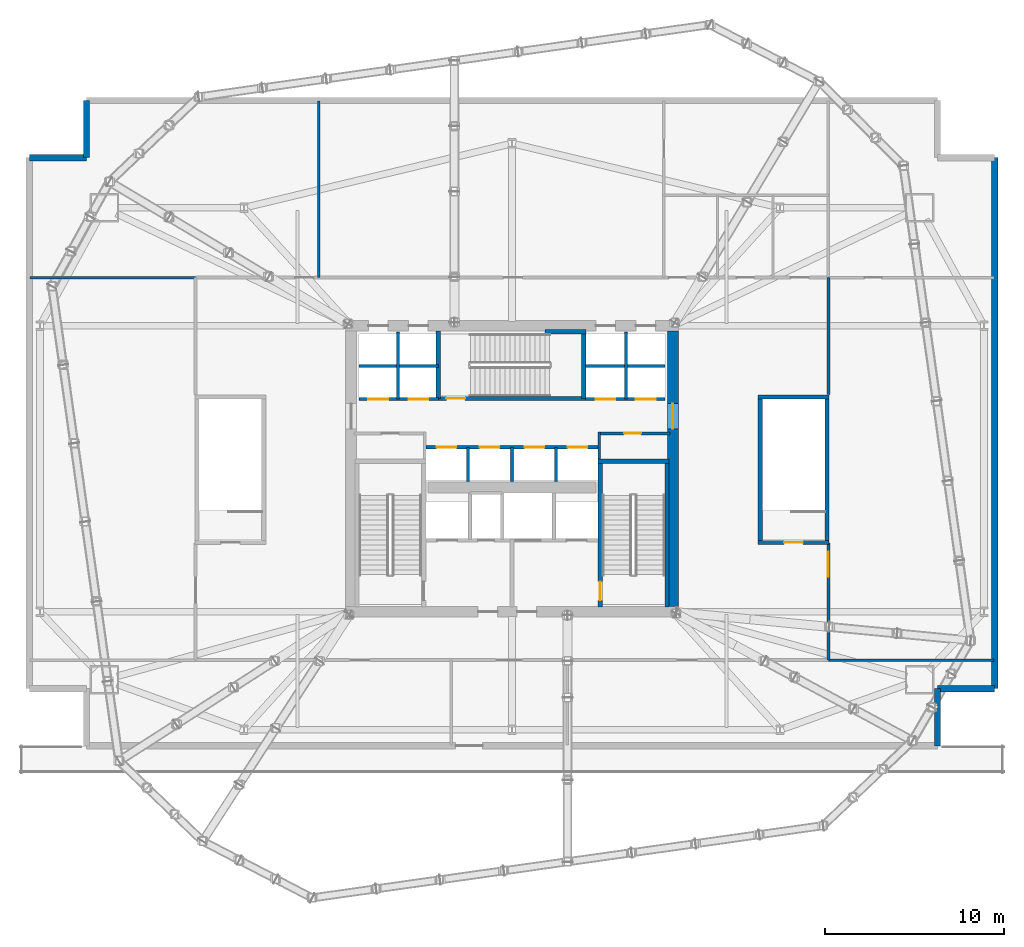
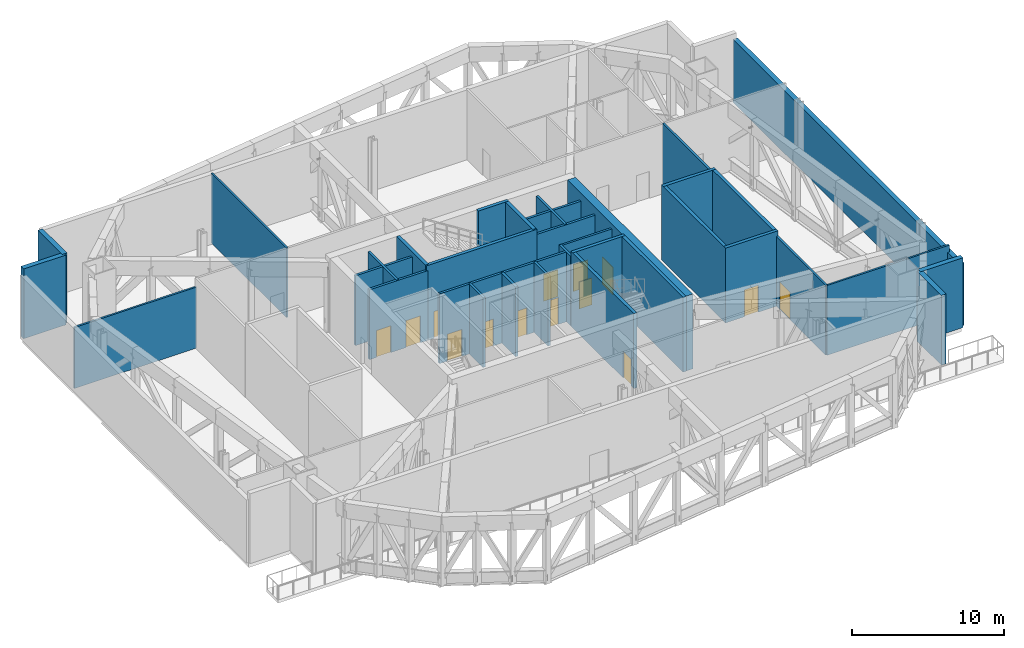
# One storey, part 11 of 15: 34 walls, 14 doors, 14 openings.
"""IFC4 building model written with IfcOpenShell, lengths in metres."""

from ifc_helpers import new_model, si_unit, direction, frame, frame_2d, origin, place, context, subcontext, project, spatial, rectangle, extrude, material, layer, layer_set, type_object, element, fill, save


model = new_model("IFC4")

# Units and contexts
model_context = context("Model", 3, precision=1e-05, world=origin(), true_north=direction((0.0, 1.0)))
body_context = subcontext(model_context, "Body", "Model", "MODEL_VIEW")
ifc_project = project(units=[si_unit("LENGTHUNIT", "METRE"), si_unit("AREAUNIT", "SQUARE_METRE"), si_unit("VOLUMEUNIT", "CUBIC_METRE"), si_unit("PLANEANGLEUNIT", "RADIAN"), si_unit("MASSUNIT", "GRAM", prefix="KILO")], contexts=[model_context])

# Site, building, storey
site_placement = place(None, origin())
site = spatial("IfcSite", under=ifc_project, at=site_placement, CompositionType="ELEMENT")
building_placement = place(site_placement, origin())
building = spatial("IfcBuilding", under=site, at=building_placement, Name="Haldenkirk Collegiate Tower", CompositionType="ELEMENT")
storey_placement = place(building_placement, frame((0.0, 0.0, 22.199951171875)))
storey = spatial("IfcBuildingStorey", under=building, at=storey_placement, Name="L04", CompositionType="ELEMENT", Elevation=22.199951171875)

# Wall, opening, door
ifc_material_1 = material(Name="Concrete f'c 70 MPa", Category="concrete")
ifc_layer_1 = layer(ifc_material_1, 0.60009765625)
ifc_layer_set_1 = layer_set([ifc_layer_1], Name="Concrete f'c 70 MPa")
wall_type_1 = type_object("IfcWallType", Name="WL-CORE-600", PredefinedType="SHEAR", material=ifc_layer_set_1)
wall_1_placement = place(storey_placement, frame((45.0, 18.300048828125, 0.0), z_axis=(0.0, 0.0, 1.0), x_axis=(0.0, 1.0, 0.0)))
wall_1 = element("IfcWall", 1, at=wall_1_placement, inside=storey, type_object=wall_type_1, Name="L04 central core shear wall E", PredefinedType="SHEAR", context=body_context, shape_type="SweptSolid", body=[
    extrude(rectangle(XDim=15.39990234375, YDim=0.60009765625, at=frame_2d((7.699951171875, 0.0))), origin(), (0.0, 0.0, 1.0), 6.0),
])
opening_1_placement = place(wall_1_placement, frame((9.93994140625, 0.0, 0.0)))
opening_1 = element("IfcOpeningElement", 2, at=opening_1_placement, cuts=wall_1, Name="Opening D-03", PredefinedType="OPENING", context=body_context, shape_type="SweptSolid", body=[
    extrude(rectangle(XDim=1.39990234375, YDim=2.199951171875, at=frame_2d((0.699951171875, 1.10009765625))), frame((0.0, 0.31005859375, 0.0), z_axis=(0.0, -1.0, 0.0), x_axis=(1.0, 0.0, 0.0)), (0.0, 0.0, 1.0), 0.6201171875),
])
ifc_material_2 = material(Name="Galvanized fire-rated hollow steel door", Category="steel")
ifc_layer_2 = layer(ifc_material_2, 0.06005859375)
ifc_layer_set_2 = layer_set([ifc_layer_2], Name="Galvanized fire-rated hollow steel door")
door_type_1 = type_object("IfcDoorType", Name="DR-LOBBY-FD90-1400", OperationType="NOTDEFINED", PredefinedType="DOOR", material=ifc_layer_set_2)
door_1_placement = place(opening_1_placement, origin())
door_1 = element("IfcDoor", 3, at=door_1_placement, inside=storey, type_object=door_type_1, Name="L04 east lift lobby portal", OperationType="DOUBLE_DOOR_SINGLE_SWING", OverallHeight=2.199951171875, OverallWidth=1.39990234375, PredefinedType="DOOR", context=body_context, shape_type="SweptSolid", body=[
    extrude(rectangle(XDim=1.39990234375, YDim=2.199951171875, at=frame_2d((0.699951171875, 1.10009765625))), frame((0.0, 0.02490234375, 0.0), z_axis=(0.0, -1.0, 0.0), x_axis=(1.0, 0.0, 0.0)), (0.0, 0.0, 1.0), 0.050048828125),
])
fill(opening_1, door_1)

# Walls
ifc_material_3 = material(Name="Precast concrete f'c 40 MPa", Category="concrete")
ifc_layer_3 = layer(ifc_material_3, 0.360107421875)
ifc_layer_set_3 = layer_set([ifc_layer_3], Name="Precast concrete f'c 40 MPa")
wall_type_2 = type_object("IfcWallType", Name="WL-EXT-POD-360", PredefinedType="STANDARD", material=ifc_layer_set_3)
for number, where, z_axis, x_axis, name in (
    (4, (59.800048828125, 13.699951171875, 0.0), (0.0, 0.0, 1.0), (0.0, -1.0, 0.0), "L04 podium bronze precast wall 02"),
    (5, (63.0, 13.699951171875, 0.0), (0.0, 0.0, 1.0), (-1.0, 0.0, 0.0), "L04 podium bronze precast wall 03"),
):
    element("IfcWall", number, at=place(storey_placement, frame(where, z_axis=z_axis, x_axis=x_axis)), inside=storey, type_object=wall_type_2, Name=name, PredefinedType="STANDARD", context=body_context, shape_type="SweptSolid", body=[
        extrude(rectangle(XDim=3.199951171875, YDim=0.360107421875, at=frame_2d((1.60009765625, 0.0))), origin(), (0.0, 0.0, 1.0), 5.590087890625),
    ])
wall_2_placement = place(storey_placement, frame((63.0, 43.39990234375, 0.0), z_axis=(0.0, 0.0, 1.0), x_axis=(0.0, -1.0, 0.0)))
element("IfcWall", 6, at=wall_2_placement, inside=storey, type_object=wall_type_2, Name="L04 podium bronze precast wall 04", PredefinedType="STANDARD", context=body_context, shape_type="SweptSolid", body=[
    extrude(rectangle(XDim=29.699951171875, YDim=0.360107421875, at=frame_2d((14.85009765625, 0.0))), origin(), (0.0, 0.0, 1.0), 5.041015625),
])
wall_3_placement = place(storey_placement, frame((12.199951171875, 43.39990234375, 0.0), z_axis=(0.0, 0.0, 1.0), x_axis=(0.0, 1.0, 0.0)))
element("IfcWall", 7, at=wall_3_placement, inside=storey, type_object=wall_type_2, Name="L04 podium bronze precast wall 08", PredefinedType="STANDARD", context=body_context, shape_type="SweptSolid", body=[
    extrude(rectangle(XDim=3.2001953125, YDim=0.360107421875, at=frame_2d((1.60009765625, 0.0))), origin(), (0.0, 0.0, 1.0), 5.590087890625),
])
wall_4_placement = place(storey_placement, frame((9.0, 43.39990234375, 0.0), z_axis=(0.0, 0.0, 1.0), x_axis=(1.0, 0.0, 0.0)))
element("IfcWall", 8, at=wall_4_placement, inside=storey, type_object=wall_type_2, Name="L04 podium bronze precast wall 09", PredefinedType="STANDARD", context=body_context, shape_type="SweptSolid", body=[
    extrude(rectangle(XDim=3.199951171875, YDim=0.360107421875, at=frame_2d((1.60009765625, 0.0))), origin(), (0.0, 0.0, 1.0), 5.590087890625),
])

# Wall, opening, door
ifc_material_4 = material(Name="Acoustic fire-rated gypsum partition", Category="concrete")
ifc_layer_4 = layer(ifc_material_4, 0.159912109375)
ifc_layer_set_4 = layer_set([ifc_layer_4], Name="Acoustic fire-rated gypsum partition")
wall_type_3 = type_object("IfcWallType", Name="WL-INT-CORR-160", PredefinedType="PARTITIONING", material=ifc_layer_set_4)
wall_5_placement = place(storey_placement, frame((40.800048828125, 27.97998046875, 0.0), z_axis=(0.0, 0.0, 1.0), x_axis=(1.0, 0.0, 0.0)))
wall_5 = element("IfcWall", 9, at=wall_5_placement, inside=storey, type_object=wall_type_3, Name="L04 interior partition IW-L04-VCSE-N", PredefinedType="PARTITIONING", context=body_context, shape_type="SweptSolid", body=[
    extrude(rectangle(XDim=4.050048828125, YDim=0.159912109375, at=frame_2d((2.02490234375, 0.0))), origin(), (0.0, 0.0, 1.0), 5.590087890625),
])
opening_2_placement = place(wall_5_placement, frame((1.47509765625, 0.0, 0.0)))
opening_2 = element("IfcOpeningElement", 10, at=opening_2_placement, cuts=wall_5, Name="Opening D-10", PredefinedType="OPENING", context=body_context, shape_type="SweptSolid", body=[
    extrude(rectangle(XDim=0.949951171875, YDim=2.14990234375, at=frame_2d((0.47509765625, 1.074951171875))), frame((0.0, 0.08984375, 0.0), z_axis=(0.0, -1.0, 0.0), x_axis=(1.0, 0.0, 0.0)), (0.0, 0.0, 1.0), 0.179931640625),
])
ifc_material_5 = material(Name="Solid-core architectural oak fire door", Category="wood")
ifc_layer_5 = layer(ifc_material_5, 0.06005859375)
ifc_layer_set_5 = layer_set([ifc_layer_5], Name="Solid-core architectural oak fire door")
door_type_2 = type_object("IfcDoorType", Name="DR-INT-FD60-950", OperationType="NOTDEFINED", PredefinedType="DOOR", material=ifc_layer_set_5)
door_2_placement = place(opening_2_placement, origin())
door_2 = element("IfcDoor", 11, at=door_2_placement, inside=storey, type_object=door_type_2, Name="L04 core mechanical store door", OperationType="SINGLE_SWING_RIGHT", OverallHeight=2.14990234375, OverallWidth=0.949951171875, PredefinedType="DOOR", context=body_context, shape_type="SweptSolid", body=[
    extrude(rectangle(XDim=0.949951171875, YDim=2.14990234375, at=frame_2d((0.47509765625, 1.074951171875))), frame((0.0, 0.02490234375, 0.0), z_axis=(0.0, -1.0, 0.0), x_axis=(1.0, 0.0, 0.0)), (0.0, 0.0, 1.0), 0.050048828125),
])
fill(opening_2, door_2)

# Wall
wall_6_placement = place(storey_placement, frame((40.8798828125, 26.5400390625, 0.0), z_axis=(0.0, 0.0, 1.0), x_axis=(0.0, 1.0, 0.0)))
element("IfcWall", 12, at=wall_6_placement, inside=storey, type_object=wall_type_3, Name="L04 interior partition IW-L04-VCSE-W", PredefinedType="PARTITIONING", context=body_context, shape_type="SweptSolid", body=[
    extrude(rectangle(XDim=1.510009765625, YDim=0.159912109375, at=frame_2d((0.7548828125, 0.0))), origin(), (0.0, 0.0, 1.0), 5.590087890625),
])

# Wall, opening, door
wall_7_placement = place(storey_placement, frame((53.699951171875, 15.300048828125, 0.0), z_axis=(0.0, 0.0, 1.0), x_axis=(0.0, 1.0, 0.0)))
wall_7 = element("IfcWall", 13, at=wall_7_placement, inside=storey, type_object=wall_type_3, Name="L04 interior partition IW-L04-CE1", PredefinedType="PARTITIONING", context=body_context, shape_type="SweptSolid", body=[
    extrude(rectangle(XDim=6.550048828125, YDim=0.159912109375, at=frame_2d((3.27490234375, 0.0))), origin(), (0.0, 0.0, 1.0), 5.590087890625),
])
opening_3_placement = place(wall_7_placement, frame((4.64990234375, 0.0, 0.0)))
opening_3 = element("IfcOpeningElement", 14, at=opening_3_placement, cuts=wall_7, Name="Opening D-07", PredefinedType="OPENING", context=body_context, shape_type="SweptSolid", body=[
    extrude(rectangle(XDim=1.39990234375, YDim=2.199951171875, at=frame_2d((0.699951171875, 1.10009765625))), frame((0.0, 0.08984375, 0.0), z_axis=(0.0, -1.0, 0.0), x_axis=(1.0, 0.0, 0.0)), (0.0, 0.0, 1.0), 0.179931640625),
])
ifc_layer_6 = layer(ifc_material_2, 0.06005859375)
ifc_layer_set_6 = layer_set([ifc_layer_6], Name="Galvanized fire-rated hollow steel door")
door_type_3 = type_object("IfcDoorType", Name="DR-LOBBY-FD60-1400", OperationType="NOTDEFINED", PredefinedType="DOOR", material=ifc_layer_set_6)
door_3_placement = place(opening_3_placement, origin())
door_3 = element("IfcDoor", 15, at=door_3_placement, inside=storey, type_object=door_type_3, Name="L04 east wing door", OperationType="DOUBLE_DOOR_SINGLE_SWING", OverallHeight=2.199951171875, OverallWidth=1.39990234375, PredefinedType="DOOR", context=body_context, shape_type="SweptSolid", body=[
    extrude(rectangle(XDim=1.39990234375, YDim=2.199951171875, at=frame_2d((0.699951171875, 1.10009765625))), frame((0.0, 0.02490234375, 0.0), z_axis=(0.0, -1.0, 0.0), x_axis=(1.0, 0.0, 0.0)), (0.0, 0.0, 1.0), 0.050048828125),
])
fill(opening_3, door_3)

# Walls
wall_8_placement = place(storey_placement, frame((53.699951171875, 30.14990234375, 0.0), z_axis=(0.0, 0.0, 1.0), x_axis=(0.0, 1.0, 0.0)))
element("IfcWall", 16, at=wall_8_placement, inside=storey, type_object=wall_type_3, Name="L04 interior partition IW-L04-CE2", PredefinedType="PARTITIONING", context=body_context, shape_type="SweptSolid", body=[
    extrude(rectangle(XDim=6.550048828125, YDim=0.159912109375, at=frame_2d((3.27490234375, 0.0))), origin(), (0.0, 0.0, 1.0), 5.590087890625),
])
ifc_layer_7 = layer(ifc_material_4, 0.139892578125)
ifc_layer_set_7 = layer_set([ifc_layer_7], Name="Acoustic fire-rated gypsum partition")
wall_type_4 = type_object("IfcWallType", Name="WL-INT-DIV-140", PredefinedType="PARTITIONING", material=ifc_layer_set_7)
wall_9_placement = place(storey_placement, frame((9.0400390625, 36.699951171875, 0.0), z_axis=(0.0, 0.0, 1.0), x_axis=(1.0, 0.0, 0.0)))
element("IfcWall", 17, at=wall_9_placement, inside=storey, type_object=wall_type_4, Name="L04 interior partition IW-L04-WCN1", PredefinedType="PARTITIONING", context=body_context, shape_type="SweptSolid", body=[
    extrude(rectangle(XDim=9.260009765625, YDim=0.139892578125, at=frame_2d((4.6298828125, 0.0))), origin(), (0.0, 0.0, 1.0), 4.88916015625),
])
wall_10_placement = place(storey_placement, frame((53.699951171875, 15.300048828125, 0.0), z_axis=(0.0, 0.0, 1.0), x_axis=(1.0, 0.0, 0.0)))
element("IfcWall", 18, at=wall_10_placement, inside=storey, type_object=wall_type_4, Name="L04 interior partition IW-L04-ECS1", PredefinedType="PARTITIONING", context=body_context, shape_type="SweptSolid", body=[
    extrude(rectangle(XDim=9.260009765625, YDim=0.139892578125, at=frame_2d((4.6298828125, 0.0))), origin(), (0.0, 0.0, 1.0), 5.590087890625),
])
wall_11_placement = place(storey_placement, frame((25.199951171875, 36.699951171875, 0.0), z_axis=(0.0, 0.0, 1.0), x_axis=(0.0, 1.0, 0.0)))
element("IfcWall", 19, at=wall_11_placement, inside=storey, type_object=wall_type_4, Name="L04 interior partition IW-L04-ND1", PredefinedType="PARTITIONING", context=body_context, shape_type="SweptSolid", body=[
    extrude(rectangle(XDim=9.860107421875, YDim=0.139892578125, at=frame_2d((4.93017578125, 0.0))), origin(), (0.0, 0.0, 1.0), 5.590087890625),
])

# Wall, openings, doors
ifc_material_6 = material(Name="Fire-rated gypsum shaftboard assembly", Category="concrete")
ifc_layer_8 = layer(ifc_material_6, 0.179931640625)
ifc_layer_set_8 = layer_set([ifc_layer_8], Name="Fire-rated gypsum shaftboard assembly")
wall_type_5 = type_object("IfcWallType", Name="WL-INT-SHAFT-180", PredefinedType="PARTITIONING", material=ifc_layer_set_8)
wall_12_placement = place(storey_placement, frame((27.449951171875, 29.89990234375, 0.0), z_axis=(0.0, 0.0, 1.0), x_axis=(1.0, 0.0, 0.0)))
wall_12 = element("IfcWall", 20, at=wall_12_placement, inside=storey, type_object=wall_type_5, Name="L04 interior partition IW-L04-PLS", PredefinedType="PARTITIONING", context=body_context, shape_type="SweptSolid", body=[
    extrude(rectangle(XDim=4.429931640625, YDim=0.179931640625, at=frame_2d((2.21484375, 0.0))), origin(), (0.0, 0.0, 1.0), 5.590087890625),
])
opening_4_placement = place(wall_12_placement, frame((0.514892578125, 0.0, 0.0)))
opening_4 = element("IfcOpeningElement", 21, at=opening_4_placement, cuts=wall_12, Name="Opening LD-11", PredefinedType="OPENING", context=body_context, shape_type="SweptSolid", body=[
    extrude(rectangle(XDim=1.10009765625, YDim=2.14990234375, at=frame_2d((0.550048828125, 1.074951171875))), frame((0.0, 0.099853515625, 0.0), z_axis=(0.0, -1.0, 0.0), x_axis=(1.0, 0.0, 0.0)), (0.0, 0.0, 1.0), 0.199951171875),
])
opening_5_placement = place(wall_12_placement, frame((2.764892578125, 0.0, 0.0)))
opening_5 = element("IfcOpeningElement", 22, at=opening_5_placement, cuts=wall_12, Name="Opening LD-11", PredefinedType="OPENING", context=body_context, shape_type="SweptSolid", body=[
    extrude(rectangle(XDim=1.10009765625, YDim=2.14990234375, at=frame_2d((0.550048828125, 1.074951171875))), frame((0.0, 0.099853515625, 0.0), z_axis=(0.0, -1.0, 0.0), x_axis=(1.0, 0.0, 0.0)), (0.0, 0.0, 1.0), 0.199951171875),
])
ifc_material_7 = material(Name="Brushed architectural stainless steel", Category="steel")
ifc_layer_9 = layer(ifc_material_7, 0.06005859375)
ifc_layer_set_9 = layer_set([ifc_layer_9], Name="Brushed architectural stainless steel")
door_type_4 = type_object("IfcDoorType", Name="LD-PASS-1100", OperationType="NOTDEFINED", PredefinedType="DOOR", material=ifc_layer_set_9)
door_4_placement = place(opening_4_placement, origin())
door_4 = element("IfcDoor", 23, at=door_4_placement, inside=storey, type_object=door_type_4, Name="L04 Elevator PL1 sliding landing door", OperationType="SLIDING_TO_LEFT", OverallHeight=2.14990234375, OverallWidth=1.10009765625, PredefinedType="DOOR", context=body_context, shape_type="SweptSolid", body=[
    extrude(rectangle(XDim=1.10009765625, YDim=2.14990234375, at=frame_2d((0.550048828125, 1.074951171875))), frame((0.0, 0.02490234375, 0.0), z_axis=(0.0, -1.0, 0.0), x_axis=(1.0, 0.0, 0.0)), (0.0, 0.0, 1.0), 0.050048828125),
])
fill(opening_4, door_4)
door_5_placement = place(opening_5_placement, origin())
door_5 = element("IfcDoor", 24, at=door_5_placement, inside=storey, type_object=door_type_4, Name="L04 Elevator PL2 sliding landing door", OperationType="SLIDING_TO_LEFT", OverallHeight=2.14990234375, OverallWidth=1.10009765625, PredefinedType="DOOR", context=body_context, shape_type="SweptSolid", body=[
    extrude(rectangle(XDim=1.10009765625, YDim=2.14990234375, at=frame_2d((0.550048828125, 1.074951171875))), frame((0.0, 0.02490234375, 0.0), z_axis=(0.0, -1.0, 0.0), x_axis=(1.0, 0.0, 0.0)), (0.0, 0.0, 1.0), 0.050048828125),
])
fill(opening_5, door_5)

# Walls
wall_13_placement = place(storey_placement, frame((27.449951171875, 31.75, 0.0), z_axis=(0.0, 0.0, 1.0), x_axis=(1.0, 0.0, 0.0)))
element("IfcWall", 25, at=wall_13_placement, inside=storey, type_object=wall_type_5, Name="L04 interior partition IW-L04-PLM", PredefinedType="PARTITIONING", context=body_context, shape_type="SweptSolid", body=[
    extrude(rectangle(XDim=4.429931640625, YDim=0.179931640625, at=frame_2d((2.21484375, 0.0))), origin(), (0.0, 0.0, 1.0), 5.590087890625),
])
wall_14_placement = place(storey_placement, frame((29.6298828125, 29.89990234375, 0.0), z_axis=(0.0, 0.0, 1.0), x_axis=(0.0, 1.0, 0.0)))
element("IfcWall", 26, at=wall_14_placement, inside=storey, type_object=wall_type_5, Name="L04 interior partition IW-L04-PLV", PredefinedType="PARTITIONING", context=body_context, shape_type="SweptSolid", body=[
    extrude(rectangle(XDim=3.75, YDim=0.179931640625, at=frame_2d((1.875, 0.0))), origin(), (0.0, 0.0, 1.0), 5.590087890625),
])

# Wall, openings, doors
wall_15_placement = place(storey_placement, frame((40.1201171875, 29.89990234375, 0.0), z_axis=(0.0, 0.0, 1.0), x_axis=(1.0, 0.0, 0.0)))
wall_15 = element("IfcWall", 27, at=wall_15_placement, inside=storey, type_object=wall_type_5, Name="L04 interior partition IW-L04-PMS", PredefinedType="PARTITIONING", context=body_context, shape_type="SweptSolid", body=[
    extrude(rectangle(XDim=4.429931640625, YDim=0.179931640625, at=frame_2d((2.21484375, 0.0))), origin(), (0.0, 0.0, 1.0), 5.590087890625),
])
opening_6_placement = place(wall_15_placement, frame((0.56494140625, 0.0, 0.0)))
opening_6 = element("IfcOpeningElement", 28, at=opening_6_placement, cuts=wall_15, Name="Opening LD-11", PredefinedType="OPENING", context=body_context, shape_type="SweptSolid", body=[
    extrude(rectangle(XDim=1.10009765625, YDim=2.14990234375, at=frame_2d((0.550048828125, 1.074951171875))), frame((0.0, 0.099853515625, 0.0), z_axis=(0.0, -1.0, 0.0), x_axis=(1.0, 0.0, 0.0)), (0.0, 0.0, 1.0), 0.199951171875),
])
opening_7_placement = place(wall_15_placement, frame((2.81494140625, 0.0, 0.0)))
opening_7 = element("IfcOpeningElement", 29, at=opening_7_placement, cuts=wall_15, Name="Opening LD-11", PredefinedType="OPENING", context=body_context, shape_type="SweptSolid", body=[
    extrude(rectangle(XDim=1.10009765625, YDim=2.14990234375, at=frame_2d((0.550048828125, 1.074951171875))), frame((0.0, 0.099853515625, 0.0), z_axis=(0.0, -1.0, 0.0), x_axis=(1.0, 0.0, 0.0)), (0.0, 0.0, 1.0), 0.199951171875),
])
door_6_placement = place(opening_6_placement, origin())
door_6 = element("IfcDoor", 30, at=door_6_placement, inside=storey, type_object=door_type_4, Name="L04 Elevator PM1 sliding landing door", OperationType="SLIDING_TO_LEFT", OverallHeight=2.14990234375, OverallWidth=1.10009765625, PredefinedType="DOOR", context=body_context, shape_type="SweptSolid", body=[
    extrude(rectangle(XDim=1.10009765625, YDim=2.14990234375, at=frame_2d((0.550048828125, 1.074951171875))), frame((0.0, 0.02490234375, 0.0), z_axis=(0.0, -1.0, 0.0), x_axis=(1.0, 0.0, 0.0)), (0.0, 0.0, 1.0), 0.050048828125),
])
fill(opening_6, door_6)
door_7_placement = place(opening_7_placement, origin())
door_7 = element("IfcDoor", 31, at=door_7_placement, inside=storey, type_object=door_type_4, Name="L04 Elevator PM2 sliding landing door", OperationType="SLIDING_TO_LEFT", OverallHeight=2.14990234375, OverallWidth=1.10009765625, PredefinedType="DOOR", context=body_context, shape_type="SweptSolid", body=[
    extrude(rectangle(XDim=1.10009765625, YDim=2.14990234375, at=frame_2d((0.550048828125, 1.074951171875))), frame((0.0, 0.02490234375, 0.0), z_axis=(0.0, -1.0, 0.0), x_axis=(1.0, 0.0, 0.0)), (0.0, 0.0, 1.0), 0.050048828125),
])
fill(opening_7, door_7)

# Walls
wall_16_placement = place(storey_placement, frame((40.1201171875, 31.75, 0.0), z_axis=(0.0, 0.0, 1.0), x_axis=(1.0, 0.0, 0.0)))
element("IfcWall", 32, at=wall_16_placement, inside=storey, type_object=wall_type_5, Name="L04 interior partition IW-L04-PMM", PredefinedType="PARTITIONING", context=body_context, shape_type="SweptSolid", body=[
    extrude(rectangle(XDim=4.429931640625, YDim=0.179931640625, at=frame_2d((2.21484375, 0.0))), origin(), (0.0, 0.0, 1.0), 5.590087890625),
])
wall_17_placement = place(storey_placement, frame((42.3701171875, 29.89990234375, 0.0), z_axis=(0.0, 0.0, 1.0), x_axis=(0.0, 1.0, 0.0)))
element("IfcWall", 33, at=wall_17_placement, inside=storey, type_object=wall_type_5, Name="L04 interior partition IW-L04-PMV", PredefinedType="PARTITIONING", context=body_context, shape_type="SweptSolid", body=[
    extrude(rectangle(XDim=3.75, YDim=0.179931640625, at=frame_2d((1.875, 0.0))), origin(), (0.0, 0.0, 1.0), 5.590087890625),
])

# Wall, openings, doors
wall_18_placement = place(storey_placement, frame((31.199951171875, 27.199951171875, 0.0), z_axis=(0.0, 0.0, 1.0), x_axis=(1.0, 0.0, 0.0)))
wall_18 = element("IfcWall", 34, at=wall_18_placement, inside=storey, type_object=wall_type_5, Name="L04 interior partition IW-L04-PHN", PredefinedType="PARTITIONING", context=body_context, shape_type="SweptSolid", body=[
    extrude(rectangle(XDim=9.60009765625, YDim=0.179931640625, at=frame_2d((4.800048828125, 0.0))), origin(), (0.0, 0.0, 1.0), 5.590087890625),
])
opening_8_placement = place(wall_18_placement, frame((0.590087890625, 0.0, 0.0)))
opening_8 = element("IfcOpeningElement", 35, at=opening_8_placement, cuts=wall_18, Name="Opening LD-11", PredefinedType="OPENING", context=body_context, shape_type="SweptSolid", body=[
    extrude(rectangle(XDim=1.10009765625, YDim=2.14990234375, at=frame_2d((0.550048828125, 1.074951171875))), frame((0.0, 0.099853515625, 0.0), z_axis=(0.0, -1.0, 0.0), x_axis=(1.0, 0.0, 0.0)), (0.0, 0.0, 1.0), 0.199951171875),
])
opening_9_placement = place(wall_18_placement, frame((2.989990234375, 0.0, 0.0)))
opening_9 = element("IfcOpeningElement", 36, at=opening_9_placement, cuts=wall_18, Name="Opening LD-11", PredefinedType="OPENING", context=body_context, shape_type="SweptSolid", body=[
    extrude(rectangle(XDim=1.10009765625, YDim=2.14990234375, at=frame_2d((0.550048828125, 1.074951171875))), frame((0.0, 0.099853515625, 0.0), z_axis=(0.0, -1.0, 0.0), x_axis=(1.0, 0.0, 0.0)), (0.0, 0.0, 1.0), 0.199951171875),
])
opening_10_placement = place(wall_18_placement, frame((5.510009765625, 0.0, 0.0)))
opening_10 = element("IfcOpeningElement", 37, at=opening_10_placement, cuts=wall_18, Name="Opening LD-11", PredefinedType="OPENING", context=body_context, shape_type="SweptSolid", body=[
    extrude(rectangle(XDim=1.10009765625, YDim=2.14990234375, at=frame_2d((0.550048828125, 1.074951171875))), frame((0.0, 0.099853515625, 0.0), z_axis=(0.0, -1.0, 0.0), x_axis=(1.0, 0.0, 0.0)), (0.0, 0.0, 1.0), 0.199951171875),
])
opening_11_placement = place(wall_18_placement, frame((7.909912109375, 0.0, 0.0)))
opening_11 = element("IfcOpeningElement", 38, at=opening_11_placement, cuts=wall_18, Name="Opening LD-11", PredefinedType="OPENING", context=body_context, shape_type="SweptSolid", body=[
    extrude(rectangle(XDim=1.10009765625, YDim=2.14990234375, at=frame_2d((0.550048828125, 1.074951171875))), frame((0.0, 0.099853515625, 0.0), z_axis=(0.0, -1.0, 0.0), x_axis=(1.0, 0.0, 0.0)), (0.0, 0.0, 1.0), 0.199951171875),
])
door_8_placement = place(opening_8_placement, origin())
door_8 = element("IfcDoor", 39, at=door_8_placement, inside=storey, type_object=door_type_4, Name="L04 Elevator PH1 sliding landing door", OperationType="SLIDING_TO_LEFT", OverallHeight=2.14990234375, OverallWidth=1.10009765625, PredefinedType="DOOR", context=body_context, shape_type="SweptSolid", body=[
    extrude(rectangle(XDim=1.10009765625, YDim=2.14990234375, at=frame_2d((0.550048828125, 1.074951171875))), frame((0.0, 0.02490234375, 0.0), z_axis=(0.0, -1.0, 0.0), x_axis=(1.0, 0.0, 0.0)), (0.0, 0.0, 1.0), 0.050048828125),
])
fill(opening_8, door_8)
door_9_placement = place(opening_9_placement, origin())
door_9 = element("IfcDoor", 40, at=door_9_placement, inside=storey, type_object=door_type_4, Name="L04 Elevator PH2 sliding landing door", OperationType="SLIDING_TO_LEFT", OverallHeight=2.14990234375, OverallWidth=1.10009765625, PredefinedType="DOOR", context=body_context, shape_type="SweptSolid", body=[
    extrude(rectangle(XDim=1.10009765625, YDim=2.14990234375, at=frame_2d((0.550048828125, 1.074951171875))), frame((0.0, 0.02490234375, 0.0), z_axis=(0.0, -1.0, 0.0), x_axis=(1.0, 0.0, 0.0)), (0.0, 0.0, 1.0), 0.050048828125),
])
fill(opening_9, door_9)
door_10_placement = place(opening_10_placement, origin())
door_10 = element("IfcDoor", 41, at=door_10_placement, inside=storey, type_object=door_type_4, Name="L04 Elevator PH3 sliding landing door", OperationType="SLIDING_TO_LEFT", OverallHeight=2.14990234375, OverallWidth=1.10009765625, PredefinedType="DOOR", context=body_context, shape_type="SweptSolid", body=[
    extrude(rectangle(XDim=1.10009765625, YDim=2.14990234375, at=frame_2d((0.550048828125, 1.074951171875))), frame((0.0, 0.02490234375, 0.0), z_axis=(0.0, -1.0, 0.0), x_axis=(1.0, 0.0, 0.0)), (0.0, 0.0, 1.0), 0.050048828125),
])
fill(opening_10, door_10)
door_11_placement = place(opening_11_placement, origin())
door_11 = element("IfcDoor", 42, at=door_11_placement, inside=storey, type_object=door_type_4, Name="L04 Elevator PH4 sliding landing door", OperationType="SLIDING_TO_LEFT", OverallHeight=2.14990234375, OverallWidth=1.10009765625, PredefinedType="DOOR", context=body_context, shape_type="SweptSolid", body=[
    extrude(rectangle(XDim=1.10009765625, YDim=2.14990234375, at=frame_2d((0.550048828125, 1.074951171875))), frame((0.0, 0.02490234375, 0.0), z_axis=(0.0, -1.0, 0.0), x_axis=(1.0, 0.0, 0.0)), (0.0, 0.0, 1.0), 0.050048828125),
])
fill(opening_11, door_11)

# Walls
for number, where, z_axis, x_axis, name in (
    (43, (33.5400390625, 25.300048828125, 0.0), (0.0, 0.0, 1.0), (0.0, 1.0, 0.0), "L04 interior partition IW-L04-PHV1"),
    (44, (36.0, 25.300048828125, 0.0), (0.0, 0.0, 1.0), (0.0, 1.0, 0.0), "L04 interior partition IW-L04-PHV2"),
    (45, (38.4599609375, 25.300048828125, 0.0), (0.0, 0.0, 1.0), (0.0, 1.0, 0.0), "L04 interior partition IW-L04-PHV3"),
):
    element("IfcWall", number, at=place(storey_placement, frame(where, z_axis=z_axis, x_axis=x_axis)), inside=storey, type_object=wall_type_5, Name=name, PredefinedType="PARTITIONING", context=body_context, shape_type="SweptSolid", body=[
        extrude(rectangle(XDim=1.89990234375, YDim=0.179931640625, at=frame_2d((0.949951171875, 0.0))), origin(), (0.0, 0.0, 1.0), 5.590087890625),
    ])

# Wall, opening, door
ifc_material_8 = material(Name="Concrete f'c 55 MPa", Category="concrete")
ifc_layer_10 = layer(ifc_material_8, 0.239990234375)
ifc_layer_set_10 = layer_set([ifc_layer_10], Name="Concrete f'c 55 MPa")
wall_type_6 = type_object("IfcWallType", Name="WL-SHAFT-240", PredefinedType="SHEAR", material=ifc_layer_set_10)
wall_19_placement = place(storey_placement, frame((40.929931640625, 18.280029296875, 0.0), z_axis=(0.0, 0.0, 1.0), x_axis=(0.0, 1.0, 0.0)))
wall_19 = element("IfcWall", 46, at=wall_19_placement, inside=storey, type_object=wall_type_6, Name="L04 stair shaft shear wall SW-L04-ST2W", PredefinedType="SHEAR", context=body_context, shape_type="SweptSolid", body=[
    extrude(rectangle(XDim=8.260009765625, YDim=0.239990234375, at=frame_2d((4.1298828125, 0.0))), origin(), (0.0, 0.0, 1.0), 6.0),
])
opening_12_placement = place(wall_19_placement, frame((0.364990234375, 0.0, 0.0)))
opening_12 = element("IfcOpeningElement", 47, at=opening_12_placement, cuts=wall_19, Name="Opening D-01", PredefinedType="OPENING", context=body_context, shape_type="SweptSolid", body=[
    extrude(rectangle(XDim=1.050048828125, YDim=2.14990234375, at=frame_2d((0.52490234375, 1.074951171875))), frame((0.0, 0.1298828125, 0.0), z_axis=(0.0, -1.0, 0.0), x_axis=(1.0, 0.0, 0.0)), (0.0, 0.0, 1.0), 0.260009765625),
])
ifc_layer_11 = layer(ifc_material_2, 0.06005859375)
ifc_layer_set_11 = layer_set([ifc_layer_11], Name="Galvanized fire-rated hollow steel door")
door_type_5 = type_object("IfcDoorType", Name="DR-STAIR-FD90-1050", OperationType="NOTDEFINED", PredefinedType="DOOR", material=ifc_layer_set_11)
door_12_placement = place(opening_12_placement, origin())
door_12 = element("IfcDoor", 48, at=door_12_placement, inside=storey, type_object=door_type_5, Name="L04 Stair 2 door", OperationType="SINGLE_SWING_RIGHT", OverallHeight=2.14990234375, OverallWidth=1.050048828125, PredefinedType="DOOR", context=body_context, shape_type="SweptSolid", body=[
    extrude(rectangle(XDim=1.050048828125, YDim=2.14990234375, at=frame_2d((0.52490234375, 1.074951171875))), frame((0.0, 0.02490234375, 0.0), z_axis=(0.0, -1.0, 0.0), x_axis=(1.0, 0.0, 0.0)), (0.0, 0.0, 1.0), 0.050048828125),
])
fill(opening_12, door_12)

# Walls
wall_20_placement = place(storey_placement, frame((40.81005859375, 26.419921875, 0.0), z_axis=(0.0, 0.0, 1.0), x_axis=(1.0, 0.0, 0.0)))
element("IfcWall", 49, at=wall_20_placement, inside=storey, type_object=wall_type_6, Name="L04 stair shaft shear wall SW-L04-ST2N", PredefinedType="SHEAR", context=body_context, shape_type="SweptSolid", body=[
    extrude(rectangle(XDim=3.97998046875, YDim=0.239990234375, at=frame_2d((1.989990234375, 0.0))), origin(), (0.0, 0.0, 1.0), 6.0),
])
wall_21_placement = place(storey_placement, frame((44.669921875, 18.280029296875, 0.0), z_axis=(0.0, 0.0, 1.0), x_axis=(0.0, 1.0, 0.0)))
element("IfcWall", 50, at=wall_21_placement, inside=storey, type_object=wall_type_6, Name="L04 stair shaft shear wall SW-L04-ST2E", PredefinedType="SHEAR", context=body_context, shape_type="SweptSolid", body=[
    extrude(rectangle(XDim=8.260009765625, YDim=0.239990234375, at=frame_2d((4.1298828125, 0.0))), origin(), (0.0, 0.0, 1.0), 6.0),
])

# Wall, opening, door
wall_22_placement = place(storey_placement, frame((31.760009765625, 29.929931640625, 0.0), z_axis=(0.0, 0.0, 1.0), x_axis=(1.0, 0.0, 0.0)))
wall_22 = element("IfcWall", 51, at=wall_22_placement, inside=storey, type_object=wall_type_6, Name="L04 stair shaft shear wall SW-L04-ST3S", PredefinedType="SHEAR", context=body_context, shape_type="SweptSolid", body=[
    extrude(rectangle(XDim=8.3798828125, YDim=0.239990234375, at=frame_2d((4.18994140625, 0.0))), origin(), (0.0, 0.0, 1.0), 6.0),
])
opening_13_placement = place(wall_22_placement, frame((0.56494140625, 0.0, 0.0)))
opening_13 = element("IfcOpeningElement", 52, at=opening_13_placement, cuts=wall_22, Name="Opening D-01", PredefinedType="OPENING", context=body_context, shape_type="SweptSolid", body=[
    extrude(rectangle(XDim=1.050048828125, YDim=2.14990234375, at=frame_2d((0.52490234375, 1.074951171875))), frame((0.0, 0.1298828125, 0.0), z_axis=(0.0, -1.0, 0.0), x_axis=(1.0, 0.0, 0.0)), (0.0, 0.0, 1.0), 0.260009765625),
])
door_13_placement = place(opening_13_placement, origin())
door_13 = element("IfcDoor", 53, at=door_13_placement, inside=storey, type_object=door_type_5, Name="L04 lift lobby Stair 3 door", OperationType="SINGLE_SWING_LEFT", OverallHeight=2.14990234375, OverallWidth=1.050048828125, PredefinedType="DOOR", context=body_context, shape_type="SweptSolid", body=[
    extrude(rectangle(XDim=1.050048828125, YDim=2.14990234375, at=frame_2d((0.52490234375, 1.074951171875))), frame((0.0, 0.02490234375, 0.0), z_axis=(0.0, -1.0, 0.0), x_axis=(1.0, 0.0, 0.0)), (0.0, 0.0, 1.0), 0.050048828125),
])
fill(opening_13, door_13)

# Walls
wall_23_placement = place(storey_placement, frame((31.8798828125, 29.929931640625, 0.0), z_axis=(0.0, 0.0, 1.0), x_axis=(0.0, 1.0, 0.0)))
element("IfcWall", 54, at=wall_23_placement, inside=storey, type_object=wall_type_6, Name="L04 stair shaft shear wall SW-L04-ST3W", PredefinedType="SHEAR", context=body_context, shape_type="SweptSolid", body=[
    extrude(rectangle(XDim=3.7900390625, YDim=0.239990234375, at=frame_2d((1.89501953125, 0.0))), origin(), (0.0, 0.0, 1.0), 6.0),
])
wall_24_placement = place(storey_placement, frame((40.02001953125, 29.929931640625, 0.0), z_axis=(0.0, 0.0, 1.0), x_axis=(0.0, 1.0, 0.0)))
element("IfcWall", 55, at=wall_24_placement, inside=storey, type_object=wall_type_6, Name="L04 stair shaft shear wall SW-L04-ST3E", PredefinedType="SHEAR", context=body_context, shape_type="SweptSolid", body=[
    extrude(rectangle(XDim=3.85009765625, YDim=0.239990234375, at=frame_2d((1.925048828125, 0.0))), origin(), (0.0, 0.0, 1.0), 6.0),
])
wall_25_placement = place(storey_placement, frame((37.85009765625, 33.659912109375, 0.0), z_axis=(0.0, 0.0, 1.0), x_axis=(1.0, 0.0, 0.0)))
element("IfcWall", 56, at=wall_25_placement, inside=storey, type_object=wall_type_6, Name="L04 stair shaft shear wall SW-L04-ST3N", PredefinedType="SHEAR", context=body_context, shape_type="SweptSolid", body=[
    extrude(rectangle(XDim=2.289794921875, YDim=0.239990234375, at=frame_2d((1.14501953125, 0.0))), origin(), (0.0, 0.0, 1.0), 6.0),
])
for number, where, z_axis, x_axis, name in (
    (57, (49.8798828125, 21.760009765625, 0.0), (0.0, 0.0, 1.0), (0.0, 1.0, 0.0), "L04 stair shaft shear wall SW-L04-ST5W"),
    (58, (53.6201171875, 21.760009765625, 0.0), (0.0, 0.0, 1.0), (0.0, 1.0, 0.0), "L04 stair shaft shear wall SW-L04-ST5E"),
):
    element("IfcWall", number, at=place(storey_placement, frame(where, z_axis=z_axis, x_axis=x_axis)), inside=storey, type_object=wall_type_6, Name=name, PredefinedType="SHEAR", context=body_context, shape_type="SweptSolid", body=[
        extrude(rectangle(XDim=8.3798828125, YDim=0.239990234375, at=frame_2d((4.18994140625, 0.0))), origin(), (0.0, 0.0, 1.0), 6.0),
    ])

# Wall, opening, door
wall_26_placement = place(storey_placement, frame((49.760009765625, 21.8798828125, 0.0), z_axis=(0.0, 0.0, 1.0), x_axis=(1.0, 0.0, 0.0)))
wall_26 = element("IfcWall", 59, at=wall_26_placement, inside=storey, type_object=wall_type_6, Name="L04 stair shaft shear wall SW-L04-ST5S", PredefinedType="SHEAR", context=body_context, shape_type="SweptSolid", body=[
    extrude(rectangle(XDim=3.97998046875, YDim=0.239990234375, at=frame_2d((1.989990234375, 0.0))), origin(), (0.0, 0.0, 1.0), 6.0),
])
opening_14_placement = place(wall_26_placement, frame((1.465087890625, 0.0, 0.0)))
opening_14 = element("IfcOpeningElement", 60, at=opening_14_placement, cuts=wall_26, Name="Opening D-01", PredefinedType="OPENING", context=body_context, shape_type="SweptSolid", body=[
    extrude(rectangle(XDim=1.050048828125, YDim=2.14990234375, at=frame_2d((0.52490234375, 1.074951171875))), frame((0.0, 0.1298828125, 0.0), z_axis=(0.0, -1.0, 0.0), x_axis=(1.0, 0.0, 0.0)), (0.0, 0.0, 1.0), 0.260009765625),
])
door_14_placement = place(opening_14_placement, origin())
door_14 = element("IfcDoor", 61, at=door_14_placement, inside=storey, type_object=door_type_5, Name="L04 Stair 5 door", OperationType="SINGLE_SWING_RIGHT", OverallHeight=2.14990234375, OverallWidth=1.050048828125, PredefinedType="DOOR", context=body_context, shape_type="SweptSolid", body=[
    extrude(rectangle(XDim=1.050048828125, YDim=2.14990234375, at=frame_2d((0.52490234375, 1.074951171875))), frame((0.0, 0.02490234375, 0.0), z_axis=(0.0, -1.0, 0.0), x_axis=(1.0, 0.0, 0.0)), (0.0, 0.0, 1.0), 0.050048828125),
])
fill(opening_14, door_14)

# Wall
wall_27_placement = place(storey_placement, frame((49.760009765625, 30.02001953125, 0.0), z_axis=(0.0, 0.0, 1.0), x_axis=(1.0, 0.0, 0.0)))
element("IfcWall", 62, at=wall_27_placement, inside=storey, type_object=wall_type_6, Name="L04 stair shaft shear wall SW-L04-ST5N", PredefinedType="SHEAR", context=body_context, shape_type="SweptSolid", body=[
    extrude(rectangle(XDim=3.97998046875, YDim=0.239990234375, at=frame_2d((1.989990234375, 0.0))), origin(), (0.0, 0.0, 1.0), 6.0),
])

save(model, "model.ifc")
